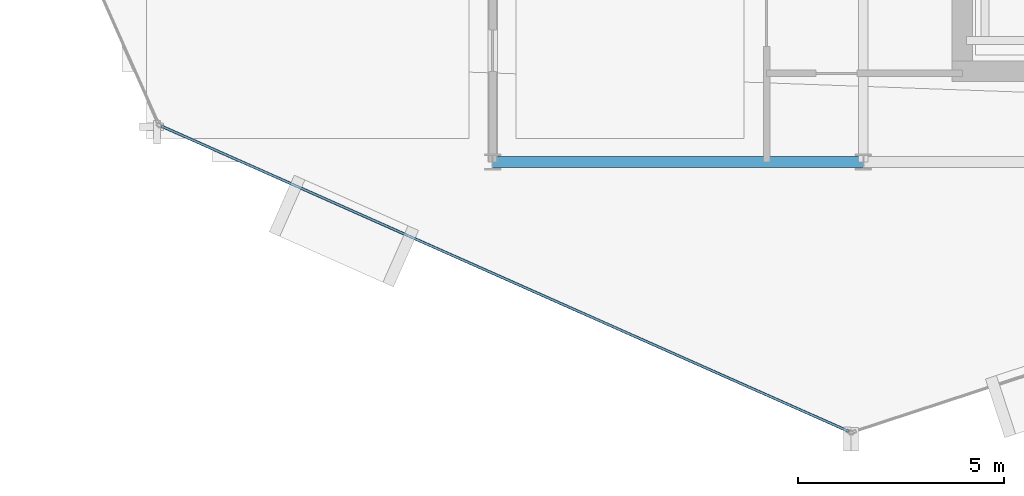
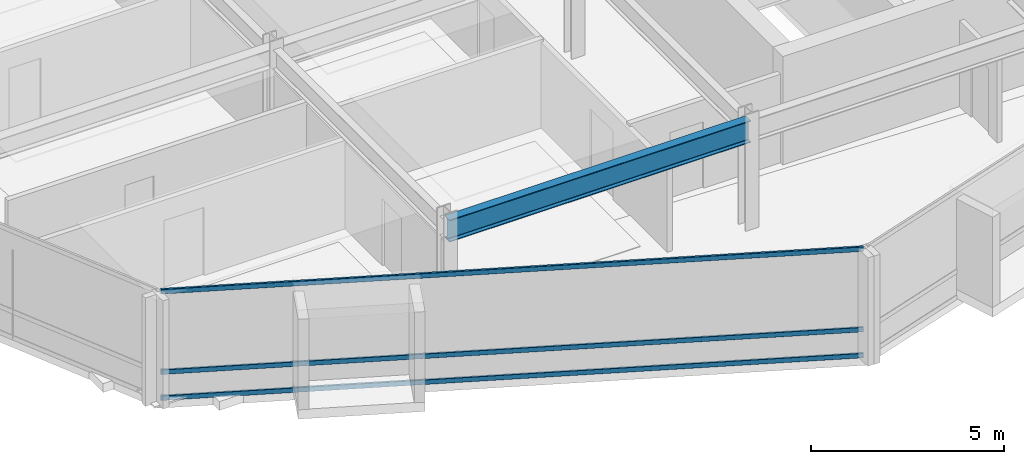
# One storey, part 3 of 28: 3 members, 1 beam, 1 element without a shape of its own.
"""IFC4 building model written with IfcOpenShell, lengths in metres."""

from ifc_helpers import new_model, si_unit, direction, frame, origin, origin_2d, place, context, subcontext, project, spatial, hollow_rectangle, i_section, extrude, material, layer, layer_set, material_profile, profile_set, type_object, element, aggregate, save


model = new_model("IFC4")

# Units and contexts
model_context = context("Model", 3, precision=1e-05, world=origin(), true_north=direction((0.0, 1.0)))
body_context = subcontext(model_context, "Body", "Model", "MODEL_VIEW")
ifc_project = project(units=[si_unit("LENGTHUNIT", "METRE"), si_unit("AREAUNIT", "SQUARE_METRE"), si_unit("VOLUMEUNIT", "CUBIC_METRE"), si_unit("PLANEANGLEUNIT", "RADIAN"), si_unit("MASSUNIT", "GRAM", prefix="KILO")], contexts=[model_context])

# Site, building, storey
site_placement = place(None, origin())
site = spatial("IfcSite", under=ifc_project, at=site_placement, CompositionType="ELEMENT")
building_placement = place(site_placement, origin())
building = spatial("IfcBuilding", under=site, at=building_placement, Name="Solvaryn Broadcast Tower", CompositionType="ELEMENT")
storey_placement = place(building_placement, frame((0.0, 0.0, 213.60009765625)))
storey = spatial("IfcBuildingStorey", under=building, at=storey_placement, Name="L53", CompositionType="ELEMENT", Elevation=213.60009765625)

# Beam
ifc_material_1 = material(Name="Steel ASTM A992 Grade 50", Category="steel")
ifc_material_profile_1 = material_profile(ifc_material_1, i_section(OverallWidth=0.256103515625, OverallDepth=0.693115234375, WebThickness=0.014404296875, FlangeThickness=0.023681640625, FilletRadius=0.01611328125, at=origin_2d()))
ifc_profile_set_1 = profile_set([ifc_material_profile_1], Name="Steel ASTM A992 Grade 50")
beam_type = type_object("IfcBeamType", Name="BM-SP3-W27X114", PredefinedType="USERDEFINED", material=ifc_profile_set_1)
beam_placement = place(storey_placement, frame((18.0, 9.0, 3.073486328125), z_axis=(1.0, 0.0, 0.0), x_axis=(0.0, 1.0, 0.0)))
element("IfcBeam", 1, at=beam_placement, inside=storey, type_object=beam_type, Name="L53 Spandrel Beam X (18-27 @ Y=9)", ObjectType="SPANDREL", PredefinedType="USERDEFINED", context=body_context, shape_type="SweptSolid", body=[
    extrude(i_section(OverallWidth=0.256103515625, OverallDepth=0.693115234375, WebThickness=0.014404296875, FlangeThickness=0.023681640625, FilletRadius=0.01611328125, at=origin_2d()), origin(), (0.0, 0.0, 1.0), 9.0),
])

# Curtain wall, members
ifc_material_2 = material(Name="Aluminium and Terracotta Unitised Curtain Wall", Category="masonry")
ifc_layer = layer(ifc_material_2, 0.199951171875)
ifc_layer_set = layer_set([ifc_layer], Name="CW-SYS2-LOWMID")
curtain_wall_type = type_object("IfcCurtainWallType", Name="CW-SYS2-LOWMID", PredefinedType="NOTDEFINED", material=ifc_layer_set)
curtain_wall_placement = place(storey_placement, origin())
curtain_wall = element("IfcCurtainWall", 2, at=curtain_wall_placement, inside=storey, type_object=curtain_wall_type, Name="L53 Curtain Wall DR3", PredefinedType="NOTDEFINED")
ifc_material_3 = material(Name="Anodised Aluminium 6063-T6", Category="aluminium")
ifc_material_profile_2 = material_profile(ifc_material_3, hollow_rectangle(XDim=0.06494140625, YDim=0.14990234375, WallThickness=0.00390625, InnerFilletRadius=0.00390625, OuterFilletRadius=0.008056640625, at=origin_2d()))
ifc_profile_set_2 = profile_set([ifc_material_profile_2], Name="Anodised Aluminium 6063-T6")
member_type = type_object("IfcMemberType", Name="CW-TRN-150", PredefinedType="USERDEFINED", material=ifc_profile_set_2)
member_1_placement = place(storey_placement, frame((9.952880859375, 9.87353515625, 0.02978515625), z_axis=(0.913916761992, -0.405901653299, 0.0), x_axis=(0.405901653299, 0.913916761992, 0.0)))
member_1 = element("IfcMember", 3, at=member_1_placement, type_object=member_type, Name="CWS2 transom 1.1", ObjectType="TRANSOM", PredefinedType="USERDEFINED", context=body_context, shape_type="SweptSolid", body=[
    extrude(hollow_rectangle(XDim=0.06494140625, YDim=0.14990234375, WallThickness=0.00390625, InnerFilletRadius=0.00390625, OuterFilletRadius=0.008056640625, at=origin_2d()), origin(), (0.0, 0.0, 1.0), 18.27099609375),
])
member_2_placement = place(storey_placement, frame((9.952880859375, 9.87353515625, 0.849853515625), z_axis=(0.913916761992, -0.405901653299, 0.0), x_axis=(0.405901653299, 0.913916761992, 0.0)))
member_2 = element("IfcMember", 4, at=member_2_placement, type_object=member_type, Name="CWS2 transom 1.2", ObjectType="TRANSOM", PredefinedType="USERDEFINED", context=body_context, shape_type="SweptSolid", body=[
    extrude(hollow_rectangle(XDim=0.06494140625, YDim=0.14990234375, WallThickness=0.00390625, InnerFilletRadius=0.00390625, OuterFilletRadius=0.008056640625, at=origin_2d()), origin(), (0.0, 0.0, 1.0), 18.27099609375),
])
member_3_placement = place(storey_placement, frame((9.952880859375, 9.87353515625, 3.389892578125), z_axis=(0.913916761992, -0.405901653299, 0.0), x_axis=(0.405901653299, 0.913916761992, 0.0)))
member_3 = element("IfcMember", 5, at=member_3_placement, type_object=member_type, Name="CWS2 transom 1.3", ObjectType="TRANSOM", PredefinedType="USERDEFINED", context=body_context, shape_type="SweptSolid", body=[
    extrude(hollow_rectangle(XDim=0.06494140625, YDim=0.14990234375, WallThickness=0.00390625, InnerFilletRadius=0.00390625, OuterFilletRadius=0.008056640625, at=origin_2d()), origin(), (0.0, 0.0, 1.0), 18.27099609375),
])
aggregate(curtain_wall, [member_1, member_2, member_3])

save(model, "model.ifc")
